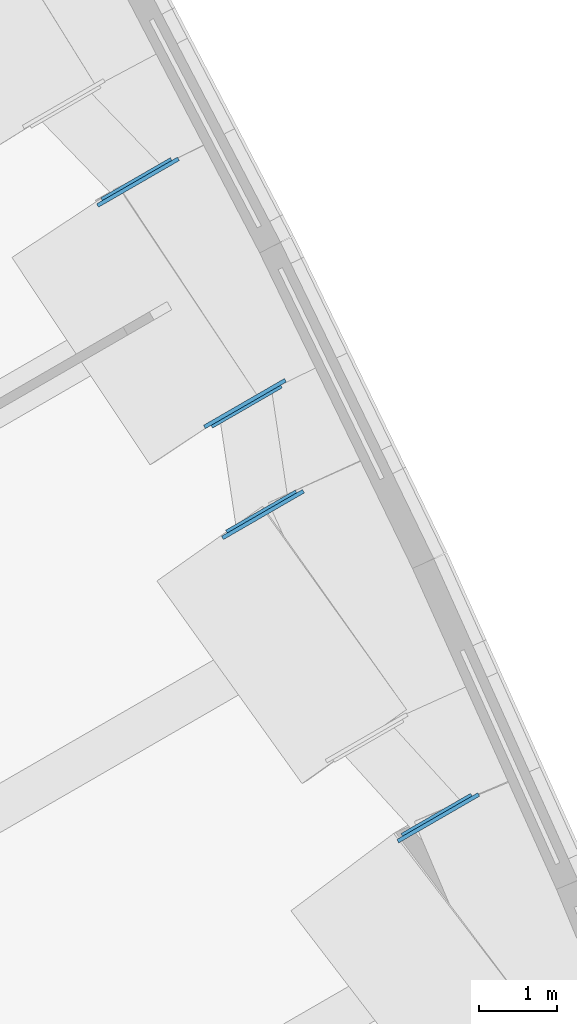
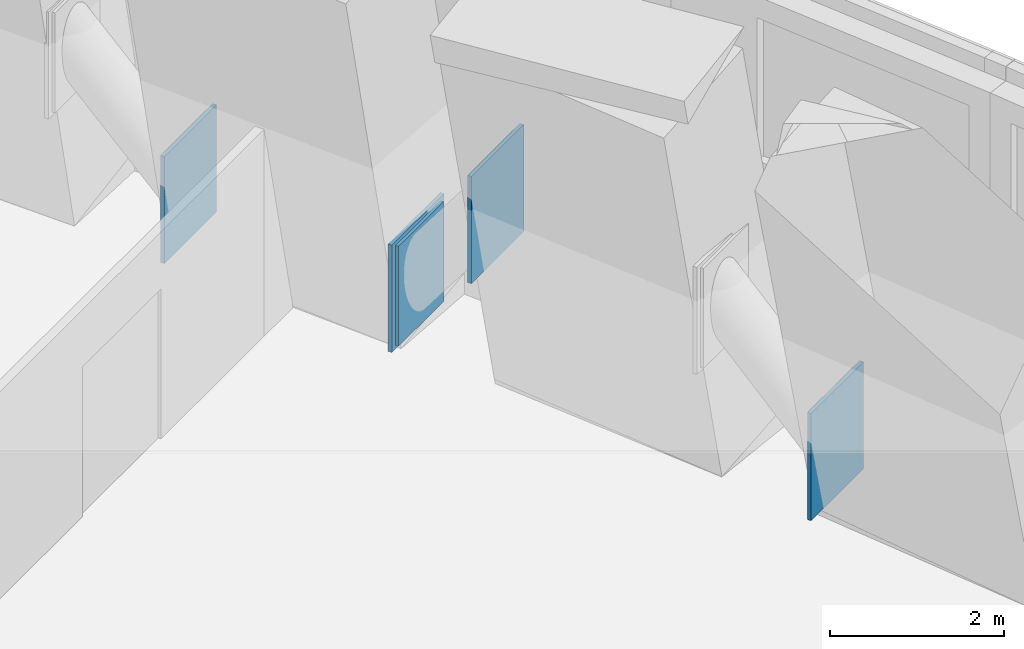
# One storey, part 13 of 28: 4 discrete accessories.
"""IFC4 building model written with IfcOpenShell, lengths in metres."""

from ifc_helpers import new_model, si_unit, direction, frame, origin, origin_2d, place, context, subcontext, project, spatial, rectangle, extrude, material, type_object, element, save


model = new_model("IFC4")

# Units and contexts
model_context = context("Model", 3, precision=1e-05, world=origin(), true_north=direction((0.0, 1.0)))
body_context = subcontext(model_context, "Body", "Model", "MODEL_VIEW")
ifc_project = project(units=[si_unit("LENGTHUNIT", "METRE"), si_unit("AREAUNIT", "SQUARE_METRE"), si_unit("VOLUMEUNIT", "CUBIC_METRE"), si_unit("PLANEANGLEUNIT", "RADIAN"), si_unit("MASSUNIT", "GRAM", prefix="KILO")], contexts=[model_context])

# Site, building, storey
site_placement = place(None, origin())
site = spatial("IfcSite", under=ifc_project, at=site_placement, CompositionType="ELEMENT")
building_placement = place(site_placement, origin())
building = spatial("IfcBuilding", under=site, at=building_placement, Name="Trefoil Bronze Tower", CompositionType="ELEMENT")
storey_placement = place(building_placement, frame((0.0, 0.0, 92.10009765625)))
storey = spatial("IfcBuildingStorey", under=building, at=storey_placement, Name="L21", CompositionType="ELEMENT", Elevation=92.10009765625)

# Discrete accessories
ifc_material = material(Name="Steel C355", Category="steel")
discrete_accessory_type = type_object("IfcDiscreteAccessoryType", Name="End plate and cast-in plate of a brace connection", PredefinedType="USERDEFINED", material=ifc_material)
discrete_accessory_1_placement = place(storey_placement, frame((30.323486328125, -1.429931640625, 0.901123046875), z_axis=(0.0, 0.0, 1.0), x_axis=(-0.499999999907, 0.866025403838, 0.0)))
element("IfcDiscreteAccessory", 1, at=discrete_accessory_1_placement, inside=storey, type_object=discrete_accessory_type, Name="Belt truss diagonal F2.3 L21 end plate and cast-in plate, lower end", ObjectType="END PLATE AND CAST-IN PLATE", PredefinedType="USERDEFINED", context=body_context, shape_type="SweptSolid", body=[
    extrude(rectangle(XDim=0.0400390625, YDim=1.031005859375, at=origin_2d()), frame((0.02001953125, 0.0, -0.699951171875)), (0.0, 0.0, 1.0), 1.39990234375),
    extrude(rectangle(XDim=0.050048828125, YDim=1.199951171875, at=origin_2d()), frame((-0.02490234375, 0.0, -0.75)), (0.0, 0.0, 1.0), 1.5),
])
for number, where, z_axis, x_axis, name in (
    (2, (27.86474609375, 3.847900390625, 0.901123046875), (0.0, 0.0, 1.0), (0.499999999907, -0.866025403838, 0.0), "Belt truss diagonal F2.4 L21 end plate and cast-in plate, lower end"),
    (3, (28.0712890625, 2.466064453125, 2.648681640625), (0.0, 0.0, 1.0), (-0.499999999907, 0.866025403838, 0.0), "Belt truss diagonal F2.4 L21 end plate and cast-in plate, upper end"),
):
    element("IfcDiscreteAccessory", number, at=place(storey_placement, frame(where, z_axis=z_axis, x_axis=x_axis)), inside=storey, type_object=discrete_accessory_type, Name=name, ObjectType="END PLATE AND CAST-IN PLATE", PredefinedType="USERDEFINED", context=body_context, shape_type="SweptSolid", body=[
        extrude(rectangle(XDim=0.0400390625, YDim=1.031005859375, at=origin_2d()), frame((0.02001953125, 0.0, -0.699951171875)), (0.0, 0.0, 1.0), 1.39990234375),
        extrude(rectangle(XDim=0.050048828125, YDim=1.199951171875, at=origin_2d()), frame((-0.025146484375, 0.0, -0.75)), (0.0, 0.0, 1.0), 1.5),
    ])
discrete_accessory_2_placement = place(storey_placement, frame((26.466552734375, 6.735595703125, 0.901123046875), z_axis=(0.0, 0.0, 1.0), x_axis=(-0.499999999907, 0.866025403838, 0.0)))
element("IfcDiscreteAccessory", 4, at=discrete_accessory_2_placement, inside=storey, type_object=discrete_accessory_type, Name="Belt truss diagonal F2.5 L21 end plate and cast-in plate, lower end", ObjectType="END PLATE AND CAST-IN PLATE", PredefinedType="USERDEFINED", context=body_context, shape_type="SweptSolid", body=[
    extrude(rectangle(XDim=0.0400390625, YDim=1.031005859375, at=origin_2d()), frame((0.02001953125, 0.0, -0.699951171875)), (0.0, 0.0, 1.0), 1.39990234375),
    extrude(rectangle(XDim=0.050048828125, YDim=1.199951171875, at=origin_2d()), frame((-0.02490234375, 0.0, -0.75)), (0.0, 0.0, 1.0), 1.5),
])

save(model, "model.ifc")
